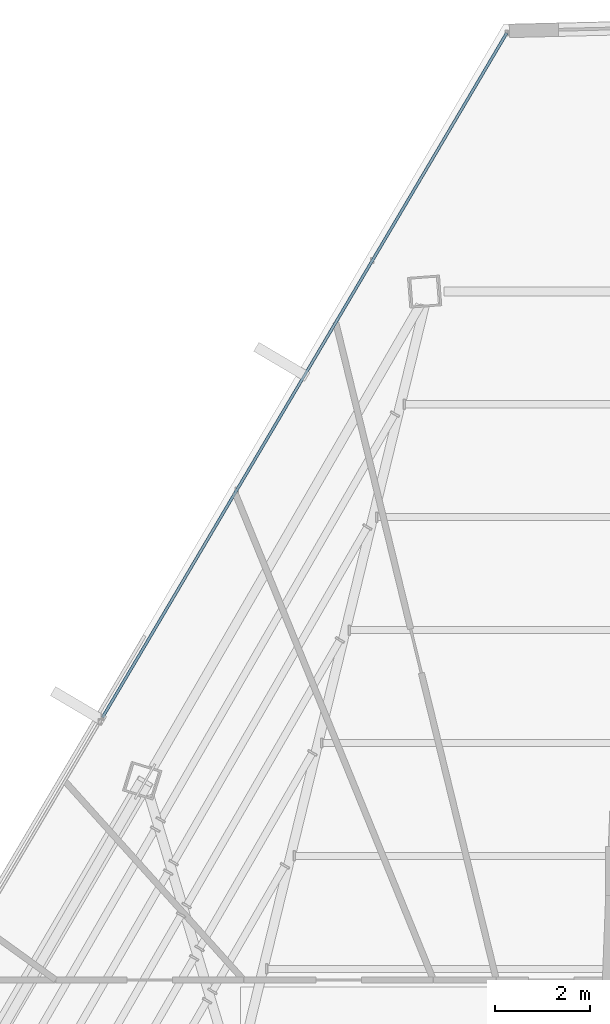
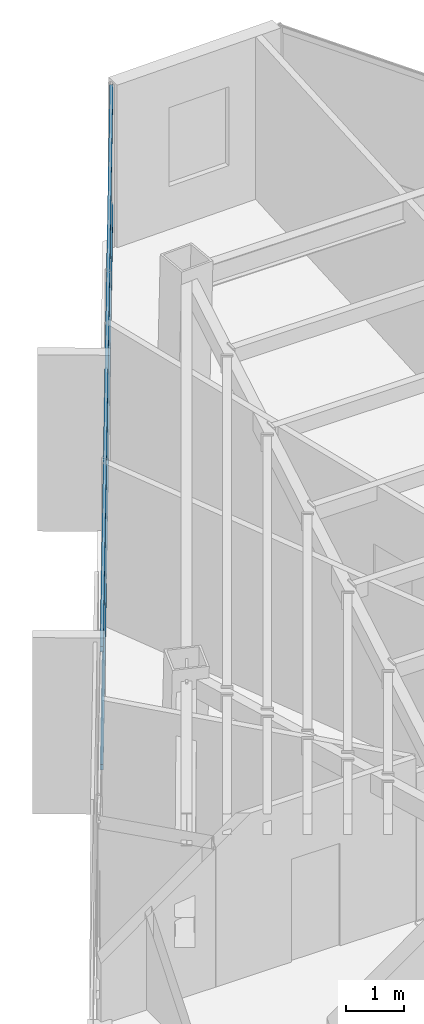
# One storey, part 33 of 48: 2 members, 1 element without a shape of its own.
"""IFC4 building model written with IfcOpenShell, lengths in metres."""

from ifc_helpers import new_model, si_unit, direction, frame, origin, origin_2d, place, context, subcontext, project, spatial, hollow_rectangle, extrude, source, transform, mapped, material, material_profile, profile_set, type_object, type_shapes, element, aggregate, save


model = new_model("IFC4")

# Units and contexts
model_context = context("Model", 3, precision=1e-05, world=origin(), true_north=direction((0.0, 1.0)))
body_context = subcontext(model_context, "Body", "Model", "MODEL_VIEW")
ifc_project = project(units=[si_unit("LENGTHUNIT", "METRE"), si_unit("AREAUNIT", "SQUARE_METRE"), si_unit("VOLUMEUNIT", "CUBIC_METRE"), si_unit("PLANEANGLEUNIT", "RADIAN"), si_unit("MASSUNIT", "GRAM", prefix="KILO")], contexts=[model_context])

# Site, building, storey
site_placement = place(None, origin())
site = spatial("IfcSite", under=ifc_project, at=site_placement, CompositionType="ELEMENT")
building_placement = place(site_placement, origin())
building = spatial("IfcBuilding", under=site, at=building_placement, Name="Caelisora Broadcast Tower", CompositionType="ELEMENT")
storey_placement = place(building_placement, frame((0.0, 0.0, 270.0)))
storey = spatial("IfcBuildingStorey", under=building, at=storey_placement, Name="L71", CompositionType="ELEMENT", Elevation=270.0)

# Curtain wall, members
ifc_material_1 = material(Name="Unitised Aluminium and Low-E Glass Curtain Wall", Category="glass")
curtain_wall_type = type_object("IfcCurtainWallType", Name="CW-Z5", PredefinedType="NOTDEFINED", material=ifc_material_1)
curtain_wall_placement = place(storey_placement, origin())
curtain_wall = element("IfcCurtainWall", 1, at=curtain_wall_placement, inside=storey, type_object=curtain_wall_type, Name="L71 curtain wall CW-Z5", PredefinedType="NOTDEFINED")
ifc_material_2 = material(Name="Aluminium 6063-T6 Anodised Terracotta Bronze", Category="aluminium")
ifc_material_profile = material_profile(ifc_material_2, hollow_rectangle(XDim=0.06005859375, YDim=0.1201171875, WallThickness=0.0029296875, at=origin_2d()), Name="Aluminium 6063-T6 Anodised Terracotta Bronze")
ifc_profile_set = profile_set([ifc_material_profile], Name="Aluminium 6063-T6 Anodised Terracotta Bronze")
member_type = type_object("IfcMemberType", Name="CWT-03", PredefinedType="USERDEFINED", material=ifc_profile_set)
shared_shape = source(origin(), body_context, "Body", "SweptSolid", [
    extrude(hollow_rectangle(XDim=0.06005859375, YDim=0.1201171875, WallThickness=0.0029296875, at=origin_2d()), origin(), (0.0, 0.0, 1.0), 16.795166015625),
])
type_shapes(member_type, [shared_shape])
member_1_placement = place(storey_placement, frame((27.686767578125, 37.701904296875, 0.85009765625), z_axis=(0.508581403925, 0.861013911375, 0.0), x_axis=(-0.861013911375, 0.508581403925, 0.0)))
member_1 = element("IfcMember", 2, at=member_1_placement, type_object=member_type, Name="L71-CW-B11 transom #1", ObjectType="TRANSOM", PredefinedType="USERDEFINED", context=body_context, shape_type="MappedRepresentation", body=[
    mapped(shared_shape, transform((0.0, 0.0, 0.0), scale=1.0)),
])
member_2_placement = place(storey_placement, frame((27.686767578125, 37.701904296875, 3.320068359375), z_axis=(0.508581403925, 0.861013911375, 0.0), x_axis=(-0.861013911375, 0.508581403925, 0.0)))
member_2 = element("IfcMember", 3, at=member_2_placement, type_object=member_type, Name="L71-CW-B11 transom #2", ObjectType="TRANSOM", PredefinedType="USERDEFINED", context=body_context, shape_type="MappedRepresentation", body=[
    mapped(shared_shape, transform((0.0, 0.0, 0.0), scale=1.0)),
])
aggregate(curtain_wall, [member_1, member_2])

save(model, "model.ifc")
